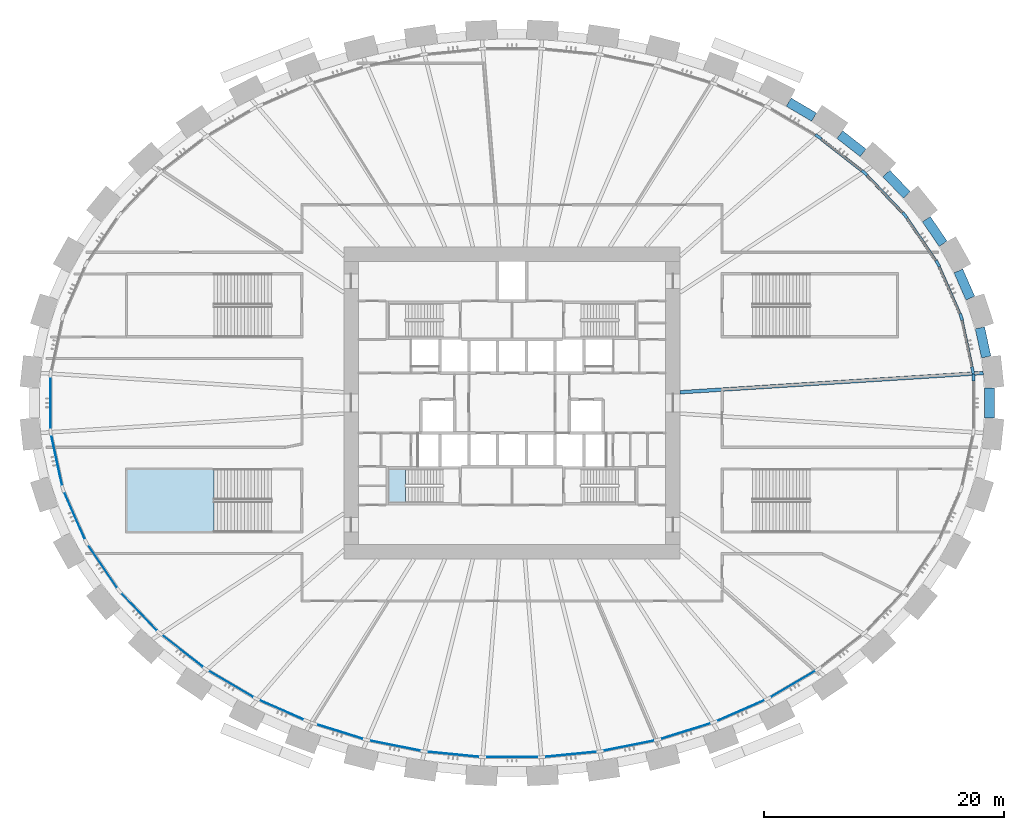
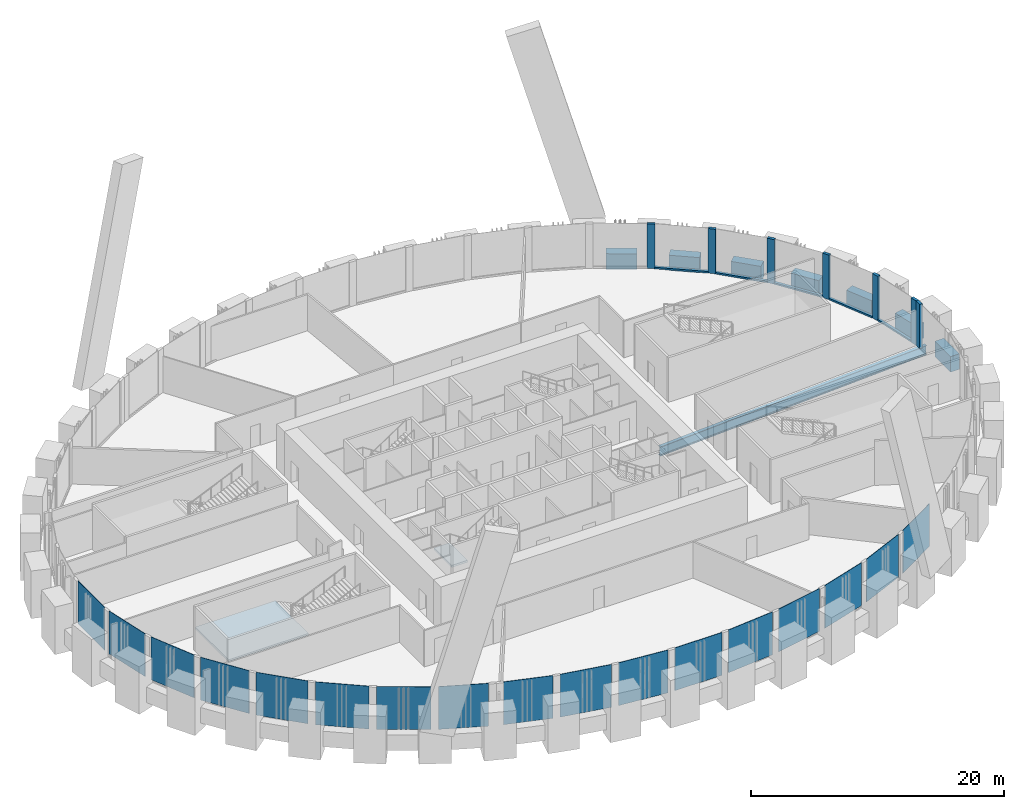
# One storey, part 4 of 21: 17 plates, 12 members, 8 beams, 2 slabs, 5 elements without a shape of their own.
"""IFC4 building model written with IfcOpenShell, lengths in metres."""

from ifc_helpers import new_model, si_unit, direction, frame, origin, origin_2d, place, context, subcontext, project, spatial, polyline, rectangle, i_section, outline, extrude, source, transform, mapped, material, layer, layer_set, material_profile, profile_set, type_object, element, aggregate, save


model = new_model("IFC4")

# Units and contexts
model_context = context("Model", 3, precision=1e-05, world=origin(), true_north=direction((0.0, 1.0)))
body_context = subcontext(model_context, "Body", "Model", "MODEL_VIEW")
ifc_project = project(units=[si_unit("LENGTHUNIT", "METRE"), si_unit("AREAUNIT", "SQUARE_METRE"), si_unit("VOLUMEUNIT", "CUBIC_METRE"), si_unit("PLANEANGLEUNIT", "RADIAN"), si_unit("MASSUNIT", "GRAM", prefix="KILO")], contexts=[model_context])

# Site, building, storey
site_placement = place(None, origin())
site = spatial("IfcSite", under=ifc_project, at=site_placement, CompositionType="ELEMENT")
building_placement = place(site_placement, origin())
building = spatial("IfcBuilding", under=site, at=building_placement, Name="Embergate Tower", CompositionType="ELEMENT")
storey_placement = place(building_placement, frame((0.0, 0.0, 33.5)))
storey = spatial("IfcBuildingStorey", under=building, at=storey_placement, Name="L04", CompositionType="ELEMENT", Elevation=33.5)

# Beams
ifc_material_1 = material(Name="Concrete C70", Category="concrete")
ifc_material_profile_1 = material_profile(ifc_material_1, rectangle(XDim=0.800048828125, YDim=1.5, at=origin_2d()), Name="RC 800x1500")
ifc_profile_set_1 = profile_set([ifc_material_profile_1], Name="Concrete C70")
beam_type_1 = type_object("IfcBeamType", Name="Spandrel beam RC 800x1500 C70", PredefinedType="BEAM", material=ifc_profile_set_1)
shared_shape_1 = source(origin(), body_context, "Body", "SweptSolid", [
    extrude(rectangle(XDim=0.800048828125, YDim=1.5, at=origin_2d()), origin(), (0.0, 0.0, 1.0), 2.4833984375),
])
beam_1_placement = place(storey_placement, frame((39.50390625, 3.826904296875, 0.0), z_axis=(-0.210180265882, 0.977662649299, 0.0), x_axis=(-0.977662649299, -0.210180265882, 0.0)))
element("IfcBeam", 1, at=beam_1_placement, inside=storey, type_object=beam_type_1, Name="SPN-L04-00", PredefinedType="BEAM", context=body_context, shape_type="MappedRepresentation", body=[
    mapped(shared_shape_1, transform((0.0, 0.0, 0.0))),
])
shared_shape_2 = source(origin(), body_context, "Body", "SweptSolid", [
    extrude(rectangle(XDim=0.800048828125, YDim=1.5, at=origin_2d()), origin(), (0.0, 0.0, 1.0), 2.478515625),
])
beam_2_placement = place(storey_placement, frame((38.181884765625, 8.72900390625, 0.0), z_axis=(-0.40140784331, 0.915899417692, 0.0), x_axis=(-0.915899417692, -0.40140784331, 0.0)))
element("IfcBeam", 2, at=beam_2_placement, inside=storey, type_object=beam_type_1, Name="SPN-L04-01", PredefinedType="BEAM", context=body_context, shape_type="MappedRepresentation", body=[
    mapped(shared_shape_2, transform((0.0, 0.0, 0.0))),
])
shared_shape_3 = source(origin(), body_context, "Body", "SweptSolid", [
    extrude(rectangle(XDim=0.800048828125, YDim=1.5, at=origin_2d()), origin(), (0.0, 0.0, 1.0), 2.46875),
])
beam_3_placement = place(storey_placement, frame((35.910888671875, 13.263916015625, 0.0), z_axis=(-0.562594003895, 0.826733322651, 0.0), x_axis=(-0.826733322651, -0.562594003895, 0.0)))
element("IfcBeam", 3, at=beam_3_placement, inside=storey, type_object=beam_type_1, Name="SPN-L04-02", PredefinedType="BEAM", context=body_context, shape_type="MappedRepresentation", body=[
    mapped(shared_shape_3, transform((0.0, 0.0, 0.0))),
])
shared_shape_4 = source(origin(), body_context, "Body", "SweptSolid", [
    extrude(rectangle(XDim=0.800048828125, YDim=1.5, at=origin_2d()), origin(), (0.0, 0.0, 1.0), 2.462890625),
])
beam_4_placement = place(storey_placement, frame((32.887939453125, 17.326904296875, 0.0), z_axis=(-0.689801191863, 0.723998836811, 0.0), x_axis=(-0.723998836811, -0.689801191863, 0.0)))
element("IfcBeam", 4, at=beam_4_placement, inside=storey, type_object=beam_type_1, Name="SPN-L04-03", PredefinedType="BEAM", context=body_context, shape_type="MappedRepresentation", body=[
    mapped(shared_shape_4, transform((0.0, 0.0, 0.0))),
])
shared_shape_5 = source(origin(), body_context, "Body", "SweptSolid", [
    extrude(rectangle(XDim=0.800048828125, YDim=1.5, at=origin_2d()), origin(), (0.0, 0.0, 1.0), 2.45361328125),
])
beam_5_placement = place(storey_placement, frame((29.248046875, 20.840087890625, 0.0), z_axis=(-0.788220432828, 0.615393003919, 0.0), x_axis=(-0.615393003919, -0.788220432828, 0.0)))
element("IfcBeam", 5, at=beam_5_placement, inside=storey, type_object=beam_type_1, Name="SPN-L04-04", PredefinedType="BEAM", context=body_context, shape_type="MappedRepresentation", body=[
    mapped(shared_shape_5, transform((0.0, 0.0, 0.0))),
])
shared_shape_6 = source(origin(), body_context, "Body", "SweptSolid", [
    extrude(rectangle(XDim=0.800048828125, YDim=1.5, at=origin_2d()), origin(), (0.0, 0.0, 1.0), 2.44873046875),
])
beam_6_placement = place(storey_placement, frame((25.1640625, 23.81201171875, 0.0), z_axis=(-0.862085389166, 0.506763043036, 0.0), x_axis=(-0.506763043036, -0.862085389166, 0.0)))
element("IfcBeam", 6, at=beam_6_placement, inside=storey, type_object=beam_type_1, Name="SPN-L04-05", PredefinedType="BEAM", context=body_context, shape_type="MappedRepresentation", body=[
    mapped(shared_shape_6, transform((0.0, 0.0, 0.0))),
])
shared_shape_7 = source(origin(), body_context, "Body", "SweptSolid", [
    extrude(rectangle(XDim=0.800048828125, YDim=1.5, at=origin_2d()), origin(), (0.0, 0.0, 1.0), 2.48388671875),
])
beam_7_placement = place(storey_placement, frame((39.780029296875, -1.241943359375, 0.0), z_axis=(0.0, 1.0, 0.0), x_axis=(-1.0, 0.0, 0.0)))
element("IfcBeam", 7, at=beam_7_placement, inside=storey, type_object=beam_type_1, Name="SPN-L04-43", PredefinedType="BEAM", context=body_context, shape_type="MappedRepresentation", body=[
    mapped(shared_shape_7, transform((0.0, 0.0, 0.0))),
])
ifc_material_2 = material(Name="Steel Q355B", Category="steel")
ifc_material_profile_2 = material_profile(ifc_material_2, i_section(OverallWidth=0.300048828125, OverallDepth=0.89990234375, WebThickness=0.01611328125, FlangeThickness=0.028076171875, FilletRadius=0.028076171875, at=origin_2d()), Name="HN 900x300x16x28")
ifc_profile_set_2 = profile_set([ifc_material_profile_2], Name="Steel Q355 grade B")
beam_type_2 = type_object("IfcBeamType", Name="Radial girder HN 900x300x16x28", PredefinedType="BEAM", material=ifc_profile_set_2)
shared_shape_8 = source(origin(), body_context, "Body", "SweptSolid", [
    extrude(i_section(OverallWidth=0.300048828125, OverallDepth=0.89990234375, WebThickness=0.01611328125, FlangeThickness=0.028076171875, FilletRadius=0.028076171875, at=origin_2d()), origin(), (0.0, 0.0, 1.0), 25.31103515625),
])
beam_8_placement = place(storey_placement, frame((39.260009765625, 2.493896484375, -0.75), z_axis=(-0.997987527614, -0.063410525362, 0.0), x_axis=(0.063410525362, -0.997987527614, 0.0)))
element("IfcBeam", 8, at=beam_8_placement, inside=storey, type_object=beam_type_2, Name="GIR-L04-00", PredefinedType="BEAM", context=body_context, shape_type="MappedRepresentation", body=[
    mapped(shared_shape_8, transform((0.0, 0.0, 0.0))),
])

# Curtain wall, members
ifc_material_3 = material(Name="Aluminium and glass", Category="aluminium")
curtain_wall_type = type_object("IfcCurtainWallType", Name="Podium base glazing", PredefinedType="NOTDEFINED", material=ifc_material_3)
curtain_wall_1_placement = place(storey_placement, origin())
curtain_wall_1 = element("IfcCurtainWall", 9, at=curtain_wall_1_placement, inside=storey, type_object=curtain_wall_type, Name="Podium base glazing run 1", ObjectType="PODIUM BASE GLAZING", PredefinedType="USERDEFINED")
ifc_material_4 = material(Name="Aluminium, thermally broken", Category="aluminium")
ifc_material_profile_3 = material_profile(ifc_material_4, rectangle(XDim=0.239990234375, YDim=0.60009765625, at=origin_2d()), Name="AL 600x240")
ifc_profile_set_3 = profile_set([ifc_material_profile_3], Name="Aluminium, thermally broken")
member_type_1 = type_object("IfcMemberType", Name="Base mullion", PredefinedType="MULLION", material=ifc_profile_set_3)
shared_shape_9 = source(origin(), body_context, "Body", "SweptSolid", [
    extrude(rectangle(XDim=0.239990234375, YDim=0.60009765625, at=origin_2d()), origin(), (0.0, 0.0, 1.0), 4.300048828125),
])
member_1_placement = place(storey_placement, frame((38.376953125, 2.716796875, 0.0), z_axis=(0.0, 0.0, 1.0), x_axis=(-0.977615363524, -0.210400097438, 0.0)))
member_1 = element("IfcMember", 10, at=member_1_placement, type_object=member_type_1, Name="CW mullion 1", PredefinedType="MULLION", context=body_context, shape_type="MappedRepresentation", body=[
    mapped(shared_shape_9, transform((0.0, 0.0, 0.0))),
])
member_2_placement = place(storey_placement, frame((37.419677734375, 7.1650390625, 0.0), z_axis=(0.0, 0.0, 1.0), x_axis=(-0.951496724066, -0.307658876178, 0.0)))
member_2 = element("IfcMember", 11, at=member_2_placement, type_object=member_type_1, Name="CW mullion 2", PredefinedType="MULLION", context=body_context, shape_type="MappedRepresentation", body=[
    mapped(shared_shape_9, transform((0.0, 0.0, 0.0))),
])
member_3_placement = place(storey_placement, frame((35.468505859375, 11.613525390625, 0.0), z_axis=(0.0, 0.0, 1.0), x_axis=(-0.874999360976, -0.484124073241, 0.0)))
member_3 = element("IfcMember", 12, at=member_3_placement, type_object=member_type_1, Name="CW mullion 3", PredefinedType="MULLION", context=body_context, shape_type="MappedRepresentation", body=[
    mapped(shared_shape_9, transform((0.0, 0.0, 0.0))),
])
member_4_placement = place(storey_placement, frame((32.731689453125, 15.637939453125, 0.0), z_axis=(0.0, 0.0, 1.0), x_axis=(-0.777869273934, -0.628426123477, 0.0)))
member_4 = element("IfcMember", 13, at=member_4_placement, type_object=member_type_1, Name="CW mullion 4", PredefinedType="MULLION", context=body_context, shape_type="MappedRepresentation", body=[
    mapped(shared_shape_9, transform((0.0, 0.0, 0.0))),
])
member_5_placement = place(storey_placement, frame((29.366455078125, 19.166748046875, 0.0), z_axis=(0.0, 0.0, 1.0), x_axis=(-0.671222652759, -0.741255792843, 0.0)))
member_5 = element("IfcMember", 14, at=member_5_placement, type_object=member_type_1, Name="CW mullion 5", PredefinedType="MULLION", context=body_context, shape_type="MappedRepresentation", body=[
    mapped(shared_shape_9, transform((0.0, 0.0, 0.0))),
])
member_6_placement = place(storey_placement, frame((25.51611328125, 22.171875, 0.0), z_axis=(0.0, 0.0, 1.0), x_axis=(-0.56221328843, -0.826992272221, 0.0)))
member_6 = element("IfcMember", 15, at=member_6_placement, type_object=member_type_1, Name="CW mullion 6", PredefinedType="MULLION", context=body_context, shape_type="MappedRepresentation", body=[
    mapped(shared_shape_9, transform((0.0, 0.0, 0.0))),
])

# Curtain wall, member
curtain_wall_2_placement = place(storey_placement, origin())
curtain_wall_2 = element("IfcCurtainWall", 16, at=curtain_wall_2_placement, inside=storey, type_object=curtain_wall_type, Name="Podium base glazing run 3", ObjectType="PODIUM BASE GLAZING", PredefinedType="USERDEFINED")
member_7_placement = place(storey_placement, frame((38.440185546875, 2.12353515625, 0.0), z_axis=(0.0, 0.0, 1.0), x_axis=(-1.0, 0.0, 0.0)))
member_7 = element("IfcMember", 17, at=member_7_placement, type_object=member_type_1, Name="CW mullion 16", PredefinedType="MULLION", context=body_context, shape_type="MappedRepresentation", body=[
    mapped(shared_shape_9, transform((0.0, 0.0, 0.0))),
])

# Member
ifc_material_profile_4 = material_profile(ifc_material_4, rectangle(XDim=0.239990234375, YDim=0.159912109375, at=origin_2d()), Name="AL 160x240")
ifc_profile_set_4 = profile_set([ifc_material_profile_4], Name="Aluminium, thermally broken")
member_type_2 = type_object("IfcMemberType", Name="Base transom", PredefinedType="USERDEFINED", material=ifc_profile_set_4)
shared_shape_10 = source(origin(), body_context, "Body", "SweptSolid", [
    extrude(rectangle(XDim=0.239990234375, YDim=0.159912109375, at=origin_2d()), origin(), (0.0, 0.0, 1.0), 3.949951171875),
])
member_8_placement = place(storey_placement, frame((38.31396484375, 3.010009765625, 0.080078125), z_axis=(-0.210394318217, 0.977616607297, 0.0), x_axis=(-0.977616607297, -0.210394318217, 0.0)))
member_8 = element("IfcMember", 18, at=member_8_placement, type_object=member_type_2, Name="CW transom 1.1", ObjectType="TRANSOM", PredefinedType="USERDEFINED", context=body_context, shape_type="MappedRepresentation", body=[
    mapped(shared_shape_10, transform((0.0, 0.0, 0.0))),
])

shared_shape_11 = source(origin(), body_context, "Body", "SweptSolid", [
    extrude(rectangle(XDim=0.239990234375, YDim=0.159912109375, at=origin_2d()), origin(), (0.0, 0.0, 1.0), 4.257568359375),
])
member_9_placement = place(storey_placement, frame((37.29931640625, 7.439697265625, 0.080078125), z_axis=(-0.401691025136, 0.915775256449, 0.0), x_axis=(-0.915775256449, -0.401691025136, 0.0)))
member_9 = element("IfcMember", 19, at=member_9_placement, type_object=member_type_2, Name="CW transom 2.1", ObjectType="TRANSOM", PredefinedType="USERDEFINED", context=body_context, shape_type="MappedRepresentation", body=[
    mapped(shared_shape_11, transform((0.0, 0.0, 0.0))),
])

shared_shape_12 = source(origin(), body_context, "Body", "SweptSolid", [
    extrude(rectangle(XDim=0.239990234375, YDim=0.159912109375, at=origin_2d()), origin(), (0.0, 0.0, 1.0), 4.266845703125),
])
member_10_placement = place(storey_placement, frame((35.2998046875, 11.861572265625, 0.080078125), z_axis=(-0.562335061696, 0.826909474118, 0.0), x_axis=(-0.826909474118, -0.562335061696, 0.0)))
member_10 = element("IfcMember", 20, at=member_10_placement, type_object=member_type_2, Name="CW transom 3.1", ObjectType="TRANSOM", PredefinedType="USERDEFINED", context=body_context, shape_type="MappedRepresentation", body=[
    mapped(shared_shape_12, transform((0.0, 0.0, 0.0))),
])

shared_shape_13 = source(origin(), body_context, "Body", "SweptSolid", [
    extrude(rectangle(XDim=0.239990234375, YDim=0.159912109375, at=origin_2d()), origin(), (0.0, 0.0, 1.0), 4.2763671875),
])
member_11_placement = place(storey_placement, frame((32.524658203125, 15.85498046875, 0.080078125), z_axis=(-0.690122622662, 0.723692452421, 0.0), x_axis=(-0.723692452421, -0.690122622662, 0.0)))
member_11 = element("IfcMember", 21, at=member_11_placement, type_object=member_type_2, Name="CW transom 4.1", ObjectType="TRANSOM", PredefinedType="USERDEFINED", context=body_context, shape_type="MappedRepresentation", body=[
    mapped(shared_shape_13, transform((0.0, 0.0, 0.0))),
])

shared_shape_14 = source(origin(), body_context, "Body", "SweptSolid", [
    extrude(rectangle(XDim=0.239990234375, YDim=0.159912109375, at=origin_2d()), origin(), (0.0, 0.0, 1.0), 4.284423828125),
])
member_12_placement = place(storey_placement, frame((29.1298828125, 19.351318359375, 0.080078125), z_axis=(-0.788323198783, 0.615261354435, 0.0), x_axis=(-0.615261354435, -0.788323198783, 0.0)))
member_12 = element("IfcMember", 22, at=member_12_placement, type_object=member_type_2, Name="CW transom 5.1", ObjectType="TRANSOM", PredefinedType="USERDEFINED", context=body_context, shape_type="MappedRepresentation", body=[
    mapped(shared_shape_14, transform((0.0, 0.0, 0.0))),
])

aggregate(curtain_wall_1, [member_1, member_2, member_3, member_4, member_5, member_6, member_8, member_9, member_10, member_11, member_12])

# Curtain wall, plates
curtain_wall_3_placement = place(storey_placement, origin())
curtain_wall_3 = element("IfcCurtainWall", 23, at=curtain_wall_3_placement, inside=storey, type_object=curtain_wall_type, Name="Podium base glazing run 2", ObjectType="PODIUM BASE GLAZING", PredefinedType="USERDEFINED")
ifc_material_5 = material(Name="Triple glazing, low-emissivity coating", Category="glass")
ifc_layer_1 = layer(ifc_material_5, 0.0400390625)
ifc_layer_set_1 = layer_set([ifc_layer_1], Name="Triple glazing, low-emissivity coating")
plate_type = type_object("IfcPlateType", Name="Base glazing unit", PredefinedType="CURTAIN_PANEL", material=ifc_layer_set_1)
shared_shape_15 = source(origin(), body_context, "Body", "SweptSolid", [
    extrude(rectangle(XDim=4.257568359375, YDim=0.0400390625, at=origin_2d()), origin(), (0.0, 0.0, 1.0), 4.139892578125),
])
plate_1_placement = place(storey_placement, frame((-36.444091796875, -9.38916015625, 0.16015625), z_axis=(0.0, 0.0, 1.0), x_axis=(0.401655297873, -0.915790926844, 0.0)))
plate_1 = element("IfcPlate", 24, at=plate_1_placement, type_object=plate_type, Name="CW panel 9.1", PredefinedType="CURTAIN_PANEL", context=body_context, shape_type="MappedRepresentation", body=[
    mapped(shared_shape_15, transform((0.0, 0.0, 0.0))),
])
shared_shape_16 = source(origin(), body_context, "Body", "SweptSolid", [
    extrude(rectangle(XDim=4.26708984375, YDim=0.0400390625, at=origin_2d()), origin(), (0.0, 0.0, 1.0), 4.139892578125),
])
plate_2_placement = place(storey_placement, frame((-34.10009765625, -13.625732421875, 0.16015625), z_axis=(0.0, 0.0, 1.0), x_axis=(0.562346071572, -0.826901986809, 0.0)))
plate_2 = element("IfcPlate", 25, at=plate_2_placement, type_object=plate_type, Name="CW panel 10.1", PredefinedType="CURTAIN_PANEL", context=body_context, shape_type="MappedRepresentation", body=[
    mapped(shared_shape_16, transform((0.0, 0.0, 0.0))),
])
shared_shape_17 = source(origin(), body_context, "Body", "SweptSolid", [
    extrude(rectangle(XDim=4.2763671875, YDim=0.0400390625, at=origin_2d()), origin(), (0.0, 0.0, 1.0), 4.139892578125),
])
plate_3_placement = place(storey_placement, frame((-31.049072265625, -17.40234375, 0.16015625), z_axis=(0.0, 0.0, 1.0), x_axis=(0.690137573644, -0.723678194673, 0.0)))
plate_3 = element("IfcPlate", 26, at=plate_3_placement, type_object=plate_type, Name="CW panel 11.1", PredefinedType="CURTAIN_PANEL", context=body_context, shape_type="MappedRepresentation", body=[
    mapped(shared_shape_17, transform((0.0, 0.0, 0.0))),
])
shared_shape_18 = source(origin(), body_context, "Body", "SweptSolid", [
    extrude(rectangle(XDim=4.2841796875, YDim=0.0400390625, at=origin_2d()), origin(), (0.0, 0.0, 1.0), 4.139892578125),
])
plate_4_placement = place(storey_placement, frame((-27.441162109375, -20.66943359375, 0.16015625), z_axis=(0.0, 0.0, 1.0), x_axis=(0.788322266931, -0.615262548398, 0.0)))
plate_4 = element("IfcPlate", 27, at=plate_4_placement, type_object=plate_type, Name="CW panel 12.1", PredefinedType="CURTAIN_PANEL", context=body_context, shape_type="MappedRepresentation", body=[
    mapped(shared_shape_18, transform((0.0, 0.0, 0.0))),
])
shared_shape_19 = source(origin(), body_context, "Body", "SweptSolid", [
    extrude(rectangle(XDim=4.290771484375, YDim=0.0400390625, at=origin_2d()), origin(), (0.0, 0.0, 1.0), 4.139892578125),
])
plate_5_placement = place(storey_placement, frame((-23.407958984375, -23.411376953125, 0.16015625), z_axis=(0.0, 0.0, 1.0), x_axis=(0.862054936934, -0.506814843614, 0.0)))
plate_5 = element("IfcPlate", 28, at=plate_5_placement, type_object=plate_type, Name="CW panel 13.1", PredefinedType="CURTAIN_PANEL", context=body_context, shape_type="MappedRepresentation", body=[
    mapped(shared_shape_19, transform((0.0, 0.0, 0.0))),
])

# Plate
plate_6_placement = place(storey_placement, frame((23.407958984375, -23.411376953125, 0.16015625), z_axis=(0.0, 0.0, 1.0), x_axis=(0.862054936934, 0.506814843614, 0.0)))
plate_6 = element("IfcPlate", 29, at=plate_6_placement, type_object=plate_type, Name="CW panel 9.1", PredefinedType="CURTAIN_PANEL", context=body_context, shape_type="MappedRepresentation", body=[
    mapped(shared_shape_19, transform((0.0, 0.0, 0.0))),
])

shared_shape_20 = source(origin(), body_context, "Body", "SweptSolid", [
    extrude(rectangle(XDim=4.295654296875, YDim=0.0400390625, at=origin_2d()), origin(), (0.0, 0.0, 1.0), 4.139892578125),
])
plate_7_placement = place(storey_placement, frame((19.05712890625, -25.63134765625, 0.16015625), z_axis=(0.0, 0.0, 1.0), x_axis=(0.916236910986, 0.400636896638, 0.0)))
plate_7 = element("IfcPlate", 30, at=plate_7_placement, type_object=plate_type, Name="CW panel 8.1", PredefinedType="CURTAIN_PANEL", context=body_context, shape_type="MappedRepresentation", body=[
    mapped(shared_shape_20, transform((0.0, 0.0, 0.0))),
])

shared_shape_21 = source(origin(), body_context, "Body", "SweptSolid", [
    extrude(rectangle(XDim=4.299072265625, YDim=0.0400390625, at=origin_2d()), origin(), (0.0, 0.0, 1.0), 4.139892578125),
])
plate_8_placement = place(storey_placement, frame((14.4755859375, -27.34033203125, 0.16015625), z_axis=(0.0, 0.0, 1.0), x_axis=(0.954772736126, 0.297336547283, 0.0)))
plate_8 = element("IfcPlate", 31, at=plate_8_placement, type_object=plate_type, Name="CW panel 7.1", PredefinedType="CURTAIN_PANEL", context=body_context, shape_type="MappedRepresentation", body=[
    mapped(shared_shape_21, transform((0.0, 0.0, 0.0))),
])

shared_shape_22 = source(origin(), body_context, "Body", "SweptSolid", [
    extrude(rectangle(XDim=4.301513671875, YDim=0.0400390625, at=origin_2d()), origin(), (0.0, 0.0, 1.0), 4.139892578125),
])
plate_9_placement = place(storey_placement, frame((-9.73388671875, -28.550537109375, 0.16015625), z_axis=(0.0, 0.0, 1.0), x_axis=(0.980476250608, -0.196637539636, 0.0)))
plate_9 = element("IfcPlate", 32, at=plate_9_placement, type_object=plate_type, Name="CW panel 2.1", PredefinedType="CURTAIN_PANEL", context=body_context, shape_type="MappedRepresentation", body=[
    mapped(shared_shape_22, transform((0.0, 0.0, 0.0))),
])

plate_10_placement = place(storey_placement, frame((9.73388671875, -28.550537109375, 0.16015625), z_axis=(0.0, 0.0, 1.0), x_axis=(0.980476250608, 0.196637539636, 0.0)))
plate_10 = element("IfcPlate", 33, at=plate_10_placement, type_object=plate_type, Name="CW panel 6.1", PredefinedType="CURTAIN_PANEL", context=body_context, shape_type="MappedRepresentation", body=[
    mapped(shared_shape_22, transform((0.0, 0.0, 0.0))),
])

shared_shape_23 = source(origin(), body_context, "Body", "SweptSolid", [
    extrude(rectangle(XDim=4.302978515625, YDim=0.0400390625, at=origin_2d()), origin(), (0.0, 0.0, 1.0), 4.139892578125),
])
plate_11_placement = place(storey_placement, frame((-4.891357421875, -29.272216796875, 0.16015625), z_axis=(0.0, 0.0, 1.0), x_axis=(0.995203355531, -0.09782781373, 0.0)))
plate_11 = element("IfcPlate", 34, at=plate_11_placement, type_object=plate_type, Name="CW panel 3.1", PredefinedType="CURTAIN_PANEL", context=body_context, shape_type="MappedRepresentation", body=[
    mapped(shared_shape_23, transform((0.0, 0.0, 0.0))),
])

plate_12_placement = place(storey_placement, frame((4.891357421875, -29.272216796875, 0.16015625), z_axis=(0.0, 0.0, 1.0), x_axis=(0.995203355531, 0.09782781373, 0.0)))
plate_12 = element("IfcPlate", 35, at=plate_12_placement, type_object=plate_type, Name="CW panel 5.1", PredefinedType="CURTAIN_PANEL", context=body_context, shape_type="MappedRepresentation", body=[
    mapped(shared_shape_23, transform((0.0, 0.0, 0.0))),
])

shared_shape_24 = source(origin(), body_context, "Body", "SweptSolid", [
    extrude(rectangle(XDim=4.30322265625, YDim=0.0400390625, at=origin_2d()), origin(), (0.0, 0.0, 1.0), 4.139892578125),
])
plate_13_placement = place(storey_placement, frame((0.0, -29.51220703125, 0.16015625), z_axis=(0.0, 0.0, 1.0), x_axis=(1.0, 0.0, 0.0)))
plate_13 = element("IfcPlate", 36, at=plate_13_placement, type_object=plate_type, Name="CW panel 4.1", PredefinedType="CURTAIN_PANEL", context=body_context, shape_type="MappedRepresentation", body=[
    mapped(shared_shape_24, transform((0.0, 0.0, 0.0))),
])

shared_shape_25 = source(origin(), body_context, "Body", "SweptSolid", [
    extrude(rectangle(XDim=3.99560546875, YDim=0.0400390625, at=origin_2d()), origin(), (0.0, 0.0, 1.0), 4.139892578125),
])
plate_14_placement = place(storey_placement, frame((-19.194580078125, -25.5712890625, 0.16015625), z_axis=(0.0, 0.0, 1.0), x_axis=(0.916236910986, -0.400636896638, 0.0)))
plate_14 = element("IfcPlate", 37, at=plate_14_placement, type_object=plate_type, Name="CW panel 14.1", PredefinedType="CURTAIN_PANEL", context=body_context, shape_type="MappedRepresentation", body=[
    mapped(shared_shape_25, transform((0.0, 0.0, 0.0))),
])

shared_shape_26 = source(origin(), body_context, "Body", "SweptSolid", [
    extrude(rectangle(XDim=4.25, YDim=0.0400390625, at=origin_2d()), origin(), (0.0, 0.0, 1.0), 4.139892578125),
])
plate_15_placement = place(storey_placement, frame((-37.929931640625, -4.794189453125, 0.16015625), z_axis=(0.0, 0.0, 1.0), x_axis=(0.210400097438, -0.977615363524, 0.0)))
plate_15 = element("IfcPlate", 38, at=plate_15_placement, type_object=plate_type, Name="CW panel 8.1", PredefinedType="CURTAIN_PANEL", context=body_context, shape_type="MappedRepresentation", body=[
    mapped(shared_shape_26, transform((0.0, 0.0, 0.0))),
])

shared_shape_27 = source(origin(), body_context, "Body", "SweptSolid", [
    extrude(rectangle(XDim=4.2470703125, YDim=0.0400390625, at=origin_2d()), origin(), (0.0, 0.0, 1.0), 4.139892578125),
])
plate_16_placement = place(storey_placement, frame((-38.440185546875, 0.0, 0.16015625), z_axis=(0.0, 0.0, 1.0), x_axis=(0.0, -1.0, 0.0)))
plate_16 = element("IfcPlate", 39, at=plate_16_placement, type_object=plate_type, Name="CW panel 7.1", PredefinedType="CURTAIN_PANEL", context=body_context, shape_type="MappedRepresentation", body=[
    mapped(shared_shape_27, transform((0.0, 0.0, 0.0))),
])

aggregate(curtain_wall_3, [plate_16, plate_15, plate_1, plate_2, plate_3, plate_4, plate_5, plate_14])

shared_shape_28 = source(origin(), body_context, "Body", "SweptSolid", [
    extrude(rectangle(XDim=3.9990234375, YDim=0.0400390625, at=origin_2d()), origin(), (0.0, 0.0, 1.0), 4.139892578125),
])
plate_17_placement = place(storey_placement, frame((-14.33251953125, -27.385009765625, 0.16015625), z_axis=(0.0, 0.0, 1.0), x_axis=(0.954772736126, -0.297336547283, 0.0)))
plate_17 = element("IfcPlate", 40, at=plate_17_placement, type_object=plate_type, Name="CW panel 1.1", PredefinedType="CURTAIN_PANEL", context=body_context, shape_type="MappedRepresentation", body=[
    mapped(shared_shape_28, transform((0.0, 0.0, 0.0))),
])

aggregate(curtain_wall_2, [member_7, plate_17, plate_9, plate_11, plate_13, plate_12, plate_10, plate_8, plate_7, plate_6])

# Stair, slab
ifc_material_6 = material(Name="Exit stair")
stair_type_1 = type_object("IfcStairType", Name="Exit stair", PredefinedType="HALF_TURN_STAIR", material=ifc_material_6)
stair_1_placement = place(storey_placement, origin())
stair_1 = element("IfcStair", 41, at=stair_1_placement, inside=storey, type_object=stair_type_1, Name="L04 Exit stair 3", PredefinedType="HALF_TURN_STAIR")
ifc_material_7 = material(Name="Concrete C40", Category="concrete")
ifc_layer_2 = layer(ifc_material_7, 0.199951171875)
ifc_layer_set_2 = layer_set([ifc_layer_2], Name="Concrete C40")
slab_type_1 = type_object("IfcSlabType", Name="Stair landing reinforced concrete", PredefinedType="LANDING", material=ifc_layer_set_2)
shared_shape_29 = source(origin(), body_context, "Body", "SweptSolid", [
    extrude(outline(polyline([(0.0, 0.0), (1.429931640625, 0.0), (1.429931640625, 2.800048828125), (0.0, 2.800048828125), (0.0, 0.0)])), origin(), (0.0, 0.0, 1.0), 0.199951171875),
])
slab_1_placement = place(storey_placement, frame((-10.300048828125, -8.300048828125, 2.050048828125)))
slab_1 = element("IfcSlab", 42, at=slab_1_placement, type_object=slab_type_1, Name="ST3 landing 1", PredefinedType="LANDING", context=body_context, shape_type="MappedRepresentation", body=[
    mapped(shared_shape_29, transform((0.0, 0.0, 0.0))),
])
aggregate(stair_1, [slab_1])

stair_type_2 = type_object("IfcStairType", Name="Podium exit stair RC", PredefinedType="HALF_TURN_STAIR", material=ifc_material_7)
stair_2_placement = place(storey_placement, origin())
stair_2 = element("IfcStair", 43, at=stair_2_placement, inside=storey, type_object=stair_type_2, Name="L04 Podium exit stair 4", PredefinedType="HALF_TURN_STAIR")
ifc_layer_3 = layer(ifc_material_7, 0.199951171875)
ifc_layer_set_3 = layer_set([ifc_layer_3], Name="Concrete C40")
slab_type_2 = type_object("IfcSlabType", Name="Podium exit stair landing RC", PredefinedType="LANDING", material=ifc_layer_set_3)
shared_shape_30 = source(origin(), body_context, "Body", "SweptSolid", [
    extrude(outline(polyline([(0.0, 0.0), (7.31005859375, 0.0), (7.31005859375, 5.25), (0.0, 5.25), (0.0, 0.0)])), origin(), (0.0, 0.0, 1.0), 0.199951171875),
])
slab_2_placement = place(storey_placement, frame((-32.1201171875, -10.75, 2.050048828125)))
slab_2 = element("IfcSlab", 44, at=slab_2_placement, type_object=slab_type_2, Name="P4 landing 1", PredefinedType="LANDING", context=body_context, shape_type="MappedRepresentation", body=[
    mapped(shared_shape_30, transform((0.0, 0.0, 0.0))),
])
aggregate(stair_2, [slab_2])

save(model, "model.ifc")
